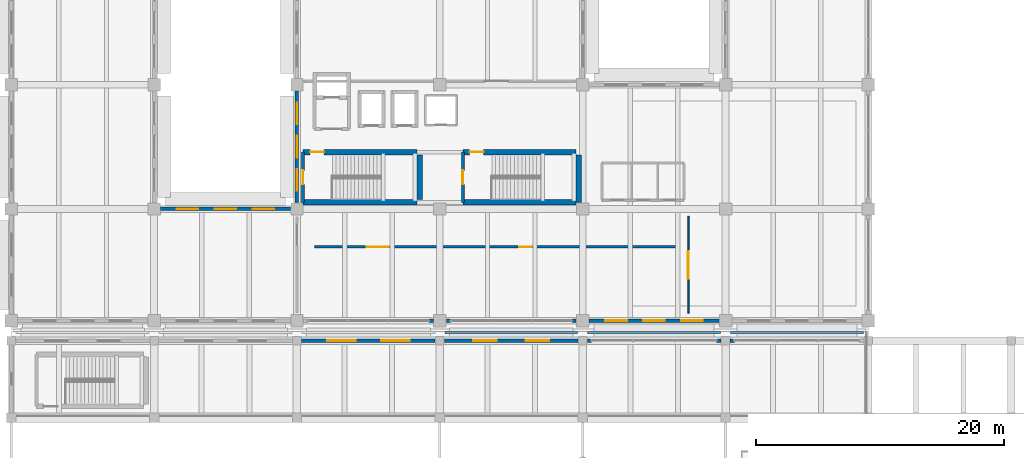
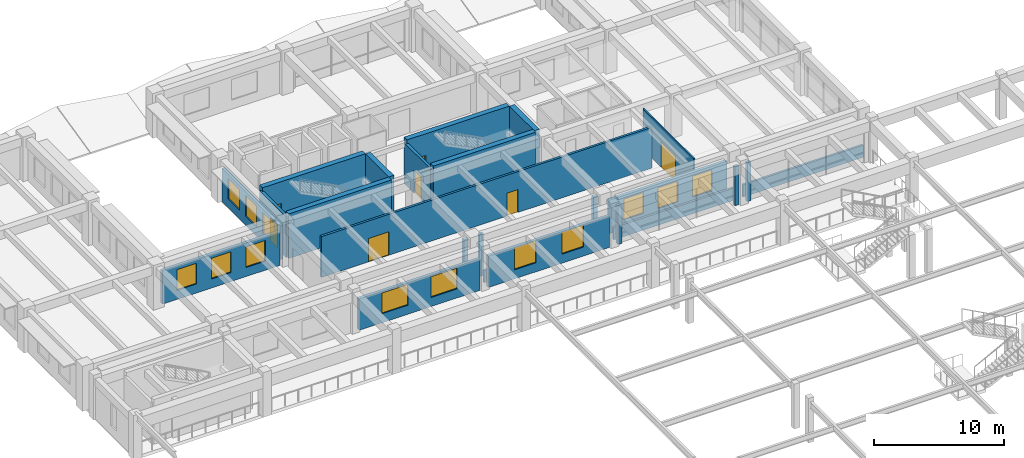
# One storey, part 73 of 98: 24 walls, 13 windows, 7 doors, 20 openings.
"""IFC4 building model written with IfcOpenShell, lengths in metres."""

from ifc_helpers import new_model, si_unit, direction, frame, frame_2d, origin, place, context, subcontext, project, spatial, rectangle, extrude, material, layer, layer_set, type_object, element, fill, save


model = new_model("IFC4")

# Units and contexts
model_context = context("Model", 3, precision=1e-05, world=origin(), true_north=direction((0.0, 1.0)))
body_context = subcontext(model_context, "Body", "Model", "MODEL_VIEW")
ifc_project = project(units=[si_unit("LENGTHUNIT", "METRE"), si_unit("AREAUNIT", "SQUARE_METRE"), si_unit("VOLUMEUNIT", "CUBIC_METRE"), si_unit("PLANEANGLEUNIT", "RADIAN"), si_unit("MASSUNIT", "GRAM", prefix="KILO")], contexts=[model_context])

# Site, building, storey
site_placement = place(None, origin())
site = spatial("IfcSite", under=ifc_project, at=site_placement, CompositionType="ELEMENT")
building_placement = place(site_placement, origin())
building = spatial("IfcBuilding", under=site, at=building_placement, Name="Ologun Quay Terminus", CompositionType="ELEMENT")
storey_placement = place(building_placement, frame((0.0, 0.0, 4.199951171875)))
storey = spatial("IfcBuildingStorey", under=building, at=storey_placement, Name="L01", CompositionType="ELEMENT", Elevation=4.199951171875)

# Wall, opening, door
ifc_material_1 = material(Name="Glass", Category="glass")
ifc_layer_1 = layer(ifc_material_1, 0.1201171875)
ifc_layer_set_1 = layer_set([ifc_layer_1], Name="Glass")
wall_type_1 = type_object("IfcWallType", Name="Acoustic Glazed Concourse Screen Wall 120", PredefinedType="MOVABLE", material=ifc_layer_set_1)
wall_1_placement = place(storey_placement, frame((54.5, 86.39990234375, 0.0), z_axis=(0.0, 0.0, 1.0), x_axis=(0.0, 1.0, 0.0)))
wall_1 = element("IfcWall", 1, at=wall_1_placement, inside=storey, type_object=wall_type_1, Name="PW-10 Partition L01-DiningHall-W", PredefinedType="MOVABLE", context=body_context, shape_type="SweptSolid", body=[
    extrude(rectangle(XDim=7.800048828125, YDim=0.1201171875, at=frame_2d((3.89990234375, 0.0))), origin(), (0.0, 0.0, 1.0), 3.840087890625),
])
opening_1_placement = place(wall_1_placement, frame((2.800048828125, 0.0, 0.0)))
opening_1 = element("IfcOpeningElement", 2, at=opening_1_placement, cuts=wall_1, Name="Opening ID-306", PredefinedType="OPENING", context=body_context, shape_type="SweptSolid", body=[
    extrude(rectangle(XDim=2.199951171875, YDim=2.39990234375, at=frame_2d((1.10009765625, 1.199951171875))), frame((0.0, 0.070068359375, 0.0), z_axis=(0.0, -1.0, 0.0), x_axis=(1.0, 0.0, 0.0)), (0.0, 0.0, 1.0), 0.14013671875),
])
ifc_material_2 = material(Name="Glass", Category="glass")
door_type_1 = type_object("IfcDoorType", Name="Harbour Dining Hall Pair 2200x2400", OperationType="DOUBLE_DOOR_SINGLE_SWING", PredefinedType="DOOR", material=ifc_material_2)
door_1_placement = place(opening_1_placement, origin())
door_1 = element("IfcDoor", 3, at=door_1_placement, inside=storey, type_object=door_type_1, Name="ID-10 Door ID-306", OperationType="DOUBLE_DOOR_SINGLE_SWING", OverallHeight=2.39990234375, OverallWidth=2.199951171875, PredefinedType="DOOR", context=body_context, shape_type="SweptSolid", body=[
    extrude(rectangle(XDim=2.199951171875, YDim=2.39990234375, at=frame_2d((1.10009765625, 1.199951171875))), frame((0.0, 0.02490234375, 0.0), z_axis=(0.0, -1.0, 0.0), x_axis=(1.0, 0.0, 0.0)), (0.0, 0.0, 1.0), 0.050048828125),
])
fill(opening_1, door_1)

# Wall, openings, doors
ifc_material_3 = material(Name="Concrete C40/50", Category="concrete")
ifc_layer_2 = layer(ifc_material_3, 0.199951171875)
ifc_layer_set_2 = layer_set([ifc_layer_2], Name="Concrete C40/50")
wall_type_2 = type_object("IfcWallType", Name="Corridor Fire-Rated Partition 200", PredefinedType="PARTITIONING", material=ifc_layer_set_2)
wall_2_placement = place(storey_placement, frame((24.39990234375, 91.75, 0.0), z_axis=(0.0, 0.0, 1.0), x_axis=(1.0, 0.0, 0.0)))
wall_2 = element("IfcWall", 4, at=wall_2_placement, inside=storey, type_object=wall_type_2, Name="PW-02 Partition WCor-S", PredefinedType="PARTITIONING", context=body_context, shape_type="SweptSolid", body=[
    extrude(rectangle(XDim=29.400146484375, YDim=0.199951171875, at=frame_2d((14.7001953125, 0.0))), origin(), (0.0, 0.0, 1.0), 3.840087890625),
])
opening_2_placement = place(wall_2_placement, frame((4.199951171875, 0.0, 0.0)))
opening_2 = element("IfcOpeningElement", 5, at=opening_2_placement, cuts=wall_2, Name="Opening ID-108", PredefinedType="OPENING", context=body_context, shape_type="SweptSolid", body=[
    extrude(rectangle(XDim=1.800048828125, YDim=2.199951171875, at=frame_2d((0.89990234375, 1.10009765625))), frame((0.0, 0.10986328125, 0.0), z_axis=(0.0, -1.0, 0.0), x_axis=(1.0, 0.0, 0.0)), (0.0, 0.0, 1.0), 0.219970703125),
])
opening_3_placement = place(wall_2_placement, frame((16.5, 0.0, 0.0)))
opening_3 = element("IfcOpeningElement", 6, at=opening_3_placement, cuts=wall_2, Name="Opening ID-109", PredefinedType="OPENING", context=body_context, shape_type="SweptSolid", body=[
    extrude(rectangle(XDim=0.97998046875, YDim=2.14990234375, at=frame_2d((0.489990234375, 1.074951171875))), frame((0.0, 0.10986328125, 0.0), z_axis=(0.0, -1.0, 0.0), x_axis=(1.0, 0.0, 0.0)), (0.0, 0.0, 1.0), 0.219970703125),
])
ifc_material_4 = material(Name="Steel S355", Category="steel")
door_type_2 = type_object("IfcDoorType", Name="Corridor Compartment Pair 1800x2200", OperationType="DOUBLE_DOOR_SINGLE_SWING", PredefinedType="DOOR", material=ifc_material_4)
door_2_placement = place(opening_2_placement, origin())
door_2 = element("IfcDoor", 7, at=door_2_placement, inside=storey, type_object=door_type_2, Name="FD-03 Door ID-108", OperationType="DOUBLE_DOOR_SINGLE_SWING", OverallHeight=2.199951171875, OverallWidth=1.800048828125, PredefinedType="DOOR", context=body_context, shape_type="SweptSolid", body=[
    extrude(rectangle(XDim=1.800048828125, YDim=2.199951171875, at=frame_2d((0.89990234375, 1.10009765625))), frame((0.0, 0.02490234375, 0.0), z_axis=(0.0, -1.0, 0.0), x_axis=(1.0, 0.0, 0.0)), (0.0, 0.0, 1.0), 0.050048828125),
])
fill(opening_2, door_2)
ifc_material_5 = material(Name="Timber Hardwood", Category="wood")
door_type_3 = type_object("IfcDoorType", Name="Operations Room Acoustic Leaf 980x2150", OperationType="SINGLE_SWING_LEFT", PredefinedType="DOOR", material=ifc_material_5)
door_3_placement = place(opening_3_placement, origin())
door_3 = element("IfcDoor", 8, at=door_3_placement, inside=storey, type_object=door_type_3, Name="ID-01 Door ID-109", OperationType="SINGLE_SWING_LEFT", OverallHeight=2.14990234375, OverallWidth=0.97998046875, PredefinedType="DOOR", context=body_context, shape_type="SweptSolid", body=[
    extrude(rectangle(XDim=0.97998046875, YDim=2.14990234375, at=frame_2d((0.489990234375, 1.074951171875))), frame((0.0, 0.02490234375, 0.0), z_axis=(0.0, -1.0, 0.0), x_axis=(1.0, 0.0, 0.0)), (0.0, 0.0, 1.0), 0.050048828125),
])
fill(opening_3, door_3)

# Wall
ifc_material_6 = material(Name="Concrete C45/55", Category="concrete")
ifc_layer_3 = layer(ifc_material_6, 0.449951171875)
ifc_layer_set_3 = layer_set([ifc_layer_3], Name="Concrete C45/55")
wall_type_3 = type_object("IfcWallType", Name="Coupled Wing Primary Core Shear Wall 450", PredefinedType="SHEAR", material=ifc_layer_set_3)
wall_3_placement = place(storey_placement, frame((23.5, 95.324951171875, 0.0), z_axis=(0.0, 0.0, 1.0), x_axis=(1.0, 0.0, 0.0)))
element("IfcWall", 9, at=wall_3_placement, inside=storey, type_object=wall_type_3, Name="WC1 Core South Shear Wall L01", PredefinedType="SHEAR", context=body_context, shape_type="SweptSolid", body=[
    extrude(rectangle(XDim=9.14990234375, YDim=0.449951171875, at=frame_2d((4.574951171875, 0.0))), origin(), (0.0, 0.0, 1.0), 4.199951171875),
])

# Wall, opening, door
wall_4_placement = place(storey_placement, frame((23.5, 99.375, 0.0), z_axis=(0.0, 0.0, 1.0), x_axis=(1.0, 0.0, 0.0)))
wall_4 = element("IfcWall", 10, at=wall_4_placement, inside=storey, type_object=wall_type_3, Name="WC1 Core North Shear Wall L01", PredefinedType="SHEAR", context=body_context, shape_type="SweptSolid", body=[
    extrude(rectangle(XDim=9.14990234375, YDim=0.449951171875, at=frame_2d((4.574951171875, 0.0))), origin(), (0.0, 0.0, 1.0), 4.199951171875),
])
opening_4_placement = place(wall_4_placement, frame((0.550048828125, 0.0, 0.0)))
opening_4 = element("IfcOpeningElement", 11, at=opening_4_placement, cuts=wall_4, Name="Opening ID-100", PredefinedType="OPENING", context=body_context, shape_type="SweptSolid", body=[
    extrude(rectangle(XDim=1.1298828125, YDim=2.14990234375, at=frame_2d((0.56494140625, 1.074951171875))), frame((0.0, 0.23486328125, 0.0), z_axis=(0.0, -1.0, 0.0), x_axis=(1.0, 0.0, 0.0)), (0.0, 0.0, 1.0), 0.469970703125),
])
ifc_material_7 = material(Name="Steel S355", Category="steel")
door_type_4 = type_object("IfcDoorType", Name="Stairwell Fire Escape Door 1130x2150", OperationType="SINGLE_SWING_LEFT", PredefinedType="DOOR", material=ifc_material_7)
door_4_placement = place(opening_4_placement, frame((0.56494140625, 0.0, 0.0), z_axis=(0.0, 0.0, 1.0), x_axis=(-1.0, 0.0, 0.0)))
door_4 = element("IfcDoor", 12, at=door_4_placement, inside=storey, type_object=door_type_4, Name="FD-01 Door ID-100", OperationType="SINGLE_SWING_LEFT", OverallHeight=2.14990234375, OverallWidth=1.1298828125, PredefinedType="DOOR", context=body_context, shape_type="SweptSolid", body=[
    extrude(rectangle(XDim=1.1298828125, YDim=2.14990234375, at=frame_2d((0.0, 1.074951171875))), frame((0.0, 0.02490234375, 0.0), z_axis=(0.0, -1.0, 0.0), x_axis=(1.0, 0.0, 0.0)), (0.0, 0.0, 1.0), 0.050048828125),
])
fill(opening_4, door_4)

# Walls
wall_5_placement = place(storey_placement, frame((32.875, 95.550048828125, 0.0), z_axis=(0.0, 0.0, 1.0), x_axis=(0.0, 1.0, 0.0)))
element("IfcWall", 13, at=wall_5_placement, inside=storey, type_object=wall_type_3, Name="WC1 Core East Shear Wall L01", PredefinedType="SHEAR", context=body_context, shape_type="SweptSolid", body=[
    extrude(rectangle(XDim=3.599853515625, YDim=0.449951171875, at=frame_2d((1.7998046875, 0.0))), origin(), (0.0, 0.0, 1.0), 4.199951171875),
])
wall_6_placement = place(storey_placement, frame((36.35009765625, 95.324951171875, 0.0), z_axis=(0.0, 0.0, 1.0), x_axis=(1.0, 0.0, 0.0)))
element("IfcWall", 14, at=wall_6_placement, inside=storey, type_object=wall_type_3, Name="WC2 Core South Shear Wall L01", PredefinedType="SHEAR", context=body_context, shape_type="SweptSolid", body=[
    extrude(rectangle(XDim=9.099853515625, YDim=0.449951171875, at=frame_2d((4.5498046875, 0.0))), origin(), (0.0, 0.0, 1.0), 4.199951171875),
])

# Wall, opening, door
wall_7_placement = place(storey_placement, frame((36.35009765625, 99.375, 0.0), z_axis=(0.0, 0.0, 1.0), x_axis=(1.0, 0.0, 0.0)))
wall_7 = element("IfcWall", 15, at=wall_7_placement, inside=storey, type_object=wall_type_3, Name="WC2 Core North Shear Wall L01", PredefinedType="SHEAR", context=body_context, shape_type="SweptSolid", body=[
    extrude(rectangle(XDim=9.099853515625, YDim=0.449951171875, at=frame_2d((4.5498046875, 0.0))), origin(), (0.0, 0.0, 1.0), 4.199951171875),
])
opening_5_placement = place(wall_7_placement, frame((0.550048828125, 0.0, 0.0)))
opening_5 = element("IfcOpeningElement", 16, at=opening_5_placement, cuts=wall_7, Name="Opening ID-102", PredefinedType="OPENING", context=body_context, shape_type="SweptSolid", body=[
    extrude(rectangle(XDim=1.1298828125, YDim=2.14990234375, at=frame_2d((0.56494140625, 1.074951171875))), frame((0.0, 0.23486328125, 0.0), z_axis=(0.0, -1.0, 0.0), x_axis=(1.0, 0.0, 0.0)), (0.0, 0.0, 1.0), 0.469970703125),
])
door_5_placement = place(opening_5_placement, frame((0.56494140625, 0.0, 0.0), z_axis=(0.0, 0.0, 1.0), x_axis=(-1.0, 0.0, 0.0)))
door_5 = element("IfcDoor", 17, at=door_5_placement, inside=storey, type_object=door_type_4, Name="FD-01 Door ID-102", OperationType="SINGLE_SWING_LEFT", OverallHeight=2.14990234375, OverallWidth=1.1298828125, PredefinedType="DOOR", context=body_context, shape_type="SweptSolid", body=[
    extrude(rectangle(XDim=1.1298828125, YDim=2.14990234375, at=frame_2d((0.0, 1.074951171875))), frame((0.0, 0.02490234375, 0.0), z_axis=(0.0, -1.0, 0.0), x_axis=(1.0, 0.0, 0.0)), (0.0, 0.0, 1.0), 0.050048828125),
])
fill(opening_5, door_5)

# Walls
wall_8_placement = place(storey_placement, frame((45.675048828125, 95.320068359375, 0.0), z_axis=(0.0, 0.0, 1.0), x_axis=(0.0, 1.0, 0.0)))
element("IfcWall", 18, at=wall_8_placement, inside=storey, type_object=wall_type_3, Name="WC2 Core East Shear Wall L01", PredefinedType="SHEAR", context=body_context, shape_type="SweptSolid", body=[
    extrude(rectangle(XDim=3.829833984375, YDim=0.449951171875, at=frame_2d((1.9150390625, 0.0))), origin(), (0.0, 0.0, 1.0), 4.199951171875),
])
ifc_material_8 = material(Name="Concrete C40/50", Category="concrete")
ifc_layer_4 = layer(ifc_material_8, 0.280029296875)
ifc_layer_set_4 = layer_set([ifc_layer_4], Name="Concrete C40/50")
wall_type_4 = type_object("IfcWallType", Name="Courtyard Wing Spandrel Concrete Wall 280", PredefinedType="SOLIDWALL", material=ifc_layer_set_4)
for number, where, z_axis, x_axis, name in (
    (19, (46.3701171875, 84.199951171875, 0.0), (0.0, 0.0, 1.0), (1.0, 0.0, 0.0), "Curtain Wall Jamb Pier CW-L01-088-J1"),
    (20, (56.780029296875, 84.199951171875, 0.0), (0.0, 0.0, 1.0), (1.0, 0.0, 0.0), "Curtain Wall Jamb Pier CW-L01-088-J2"),
    (21, (57.8701171875, 84.199951171875, 0.0), (0.0, 0.0, 1.0), (1.0, 0.0, 0.0), "Curtain Wall Jamb Pier CW-L01-089-J1"),
):
    element("IfcWall", number, at=place(storey_placement, frame(where, z_axis=z_axis, x_axis=x_axis)), inside=storey, type_object=wall_type_4, Name=name, PredefinedType="SOLIDWALL", context=body_context, shape_type="SweptSolid", body=[
        extrude(rectangle(XDim=0.349853515625, YDim=0.280029296875, at=frame_2d((0.1748046875, 0.0))), origin(), (0.0, 0.0, 1.0), 3.650146484375),
    ])

# Wall, openings, windows
wall_9_placement = place(storey_placement, frame((34.8701171875, 84.199951171875, 0.0), z_axis=(0.0, 0.0, 1.0), x_axis=(1.0, 0.0, 0.0)))
wall_9 = element("IfcWall", 22, at=wall_9_placement, inside=storey, type_object=wall_type_4, Name="EW-02 Facade Wall WEW-NGW-L01-04", PredefinedType="SOLIDWALL", context=body_context, shape_type="SweptSolid", body=[
    extrude(rectangle(XDim=10.759765625, YDim=0.280029296875, at=frame_2d((5.3798828125, 0.0))), origin(), (0.0, 0.0, 1.0), 2.949951171875),
])
opening_6_placement = place(wall_9_placement, frame((2.306640625, 0.0, 0.85009765625)))
opening_6 = element("IfcOpeningElement", 23, at=opening_6_placement, cuts=wall_9, Name="Opening WN-124", PredefinedType="OPENING", context=body_context, shape_type="SweptSolid", body=[
    extrude(rectangle(XDim=1.919921875, YDim=2.080078125, at=frame_2d((0.9599609375, 1.0400390625))), frame((0.0, 0.14990234375, 0.0), z_axis=(0.0, -1.0, 0.0), x_axis=(1.0, 0.0, 0.0)), (0.0, 0.0, 1.0), 0.300048828125),
])
opening_7_placement = place(wall_9_placement, frame((6.533203125, 0.0, 0.85009765625)))
opening_7 = element("IfcOpeningElement", 24, at=opening_7_placement, cuts=wall_9, Name="Opening WN-125", PredefinedType="OPENING", context=body_context, shape_type="SweptSolid", body=[
    extrude(rectangle(XDim=1.919921875, YDim=2.080078125, at=frame_2d((0.9599609375, 1.0400390625))), frame((0.0, 0.14990234375, 0.0), z_axis=(0.0, -1.0, 0.0), x_axis=(1.0, 0.0, 0.0)), (0.0, 0.0, 1.0), 0.300048828125),
])
ifc_material_9 = material(Name="Glass", Category="glass")
window_type_1 = type_object("IfcWindowType", Name="Courtyard Gallery Twin Window 1920x2080", PartitioningType="SINGLE_PANEL", PredefinedType="WINDOW", material=ifc_material_9)
window_1_placement = place(opening_6_placement, origin())
window_1 = element("IfcWindow", 25, at=window_1_placement, inside=storey, type_object=window_type_1, Name="W-40 Window WN-124", OverallHeight=2.080078125, OverallWidth=1.919921875, PartitioningType="SINGLE_PANEL", PredefinedType="WINDOW", context=body_context, shape_type="SweptSolid", body=[
    extrude(rectangle(XDim=1.919921875, YDim=2.080078125, at=frame_2d((0.9599609375, 1.0400390625))), frame((0.0, 0.030029296875, 0.0), z_axis=(0.0, -1.0, 0.0), x_axis=(1.0, 0.0, 0.0)), (0.0, 0.0, 1.0), 0.06005859375),
])
fill(opening_6, window_1)
window_2_placement = place(opening_7_placement, origin())
window_2 = element("IfcWindow", 26, at=window_2_placement, inside=storey, type_object=window_type_1, Name="W-40 Window WN-125", OverallHeight=2.080078125, OverallWidth=1.919921875, PartitioningType="SINGLE_PANEL", PredefinedType="WINDOW", context=body_context, shape_type="SweptSolid", body=[
    extrude(rectangle(XDim=1.919921875, YDim=2.080078125, at=frame_2d((0.9599609375, 1.0400390625))), frame((0.0, 0.030029296875, 0.0), z_axis=(0.0, -1.0, 0.0), x_axis=(1.0, 0.0, 0.0)), (0.0, 0.0, 1.0), 0.06005859375),
])
fill(opening_7, window_2)

wall_10_placement = place(storey_placement, frame((23.3701171875, 84.199951171875, 0.0), z_axis=(0.0, 0.0, 1.0), x_axis=(1.0, 0.0, 0.0)))
wall_10 = element("IfcWall", 27, at=wall_10_placement, inside=storey, type_object=wall_type_4, Name="EW-02 Facade Wall WEW-NGW-L01-03", PredefinedType="SOLIDWALL", context=body_context, shape_type="SweptSolid", body=[
    extrude(rectangle(XDim=10.759765625, YDim=0.280029296875, at=frame_2d((5.3798828125, 0.0))), origin(), (0.0, 0.0, 1.0), 2.949951171875),
])
opening_8_placement = place(wall_10_placement, frame((2.05322265625, 0.0, 0.85009765625)))
opening_8 = element("IfcOpeningElement", 28, at=opening_8_placement, cuts=wall_10, Name="Opening WN-138", PredefinedType="OPENING", context=body_context, shape_type="SweptSolid", body=[
    extrude(rectangle(XDim=2.300048828125, YDim=1.949951171875, at=frame_2d((1.14990234375, 0.97509765625))), frame((0.0, 0.14990234375, 0.0), z_axis=(0.0, -1.0, 0.0), x_axis=(1.0, 0.0, 0.0)), (0.0, 0.0, 1.0), 0.300048828125),
])
opening_9_placement = place(wall_10_placement, frame((6.40673828125, 0.0, 0.85009765625)))
opening_9 = element("IfcOpeningElement", 29, at=opening_9_placement, cuts=wall_10, Name="Opening WN-139", PredefinedType="OPENING", context=body_context, shape_type="SweptSolid", body=[
    extrude(rectangle(XDim=2.300048828125, YDim=1.949951171875, at=frame_2d((1.14990234375, 0.97509765625))), frame((0.0, 0.14990234375, 0.0), z_axis=(0.0, -1.0, 0.0), x_axis=(1.0, 0.0, 0.0)), (0.0, 0.0, 1.0), 0.300048828125),
])
ifc_material_10 = material(Name="Glass", Category="glass")
window_type_2 = type_object("IfcWindowType", Name="Waterfront Dining Ribbon Window 2300x1950", PartitioningType="SINGLE_PANEL", PredefinedType="WINDOW", material=ifc_material_10)
window_3_placement = place(opening_8_placement, origin())
window_3 = element("IfcWindow", 30, at=window_3_placement, inside=storey, type_object=window_type_2, Name="W-13 Window WN-138", OverallHeight=1.949951171875, OverallWidth=2.300048828125, PartitioningType="SINGLE_PANEL", PredefinedType="WINDOW", context=body_context, shape_type="SweptSolid", body=[
    extrude(rectangle(XDim=2.300048828125, YDim=1.949951171875, at=frame_2d((1.14990234375, 0.97509765625))), frame((0.0, 0.030029296875, 0.0), z_axis=(0.0, -1.0, 0.0), x_axis=(1.0, 0.0, 0.0)), (0.0, 0.0, 1.0), 0.06005859375),
])
fill(opening_8, window_3)
window_4_placement = place(opening_9_placement, origin())
window_4 = element("IfcWindow", 31, at=window_4_placement, inside=storey, type_object=window_type_2, Name="W-13 Window WN-139", OverallHeight=1.949951171875, OverallWidth=2.300048828125, PartitioningType="SINGLE_PANEL", PredefinedType="WINDOW", context=body_context, shape_type="SweptSolid", body=[
    extrude(rectangle(XDim=2.300048828125, YDim=1.949951171875, at=frame_2d((1.14990234375, 0.97509765625))), frame((0.0, 0.030029296875, 0.0), z_axis=(0.0, -1.0, 0.0), x_axis=(1.0, 0.0, 0.0)), (0.0, 0.0, 1.0), 0.06005859375),
])
fill(opening_9, window_4)

# Walls
for number, where, z_axis, x_axis, name in (
    (32, (33.6298828125, 85.800048828125, 0.0), (0.0, 0.0, 1.0), (1.0, 0.0, 0.0), "Curtain Wall Jamb Pier CW-L01-097-J2"),
    (33, (35.02001953125, 85.800048828125, 0.0), (0.0, 0.0, 1.0), (1.0, 0.0, 0.0), "Curtain Wall Jamb Pier CW-L01-098-J1"),
    (34, (45.1298828125, 85.800048828125, 0.0), (0.0, 0.0, 1.0), (1.0, 0.0, 0.0), "Curtain Wall Jamb Pier CW-L01-098-J2"),
):
    element("IfcWall", number, at=place(storey_placement, frame(where, z_axis=z_axis, x_axis=x_axis)), inside=storey, type_object=wall_type_4, Name=name, PredefinedType="SOLIDWALL", context=body_context, shape_type="SweptSolid", body=[
        extrude(rectangle(XDim=0.35009765625, YDim=0.280029296875, at=frame_2d((0.175048828125, 0.0))), origin(), (0.0, 0.0, 1.0), 3.929931640625),
    ])

# Wall, openings, windows
wall_11_placement = place(storey_placement, frame((46.52001953125, 85.800048828125, 0.0), z_axis=(0.0, 0.0, 1.0), x_axis=(1.0, 0.0, 0.0)))
wall_11 = element("IfcWall", 35, at=wall_11_placement, inside=storey, type_object=wall_type_4, Name="EW-02 Facade Wall WEW-WW-O-L01-5", PredefinedType="SOLIDWALL", context=body_context, shape_type="SweptSolid", body=[
    extrude(rectangle(XDim=10.4599609375, YDim=0.280029296875, at=frame_2d((5.22998046875, 0.0))), origin(), (0.0, 0.0, 1.0), 3.150146484375),
])
opening_10_placement = place(wall_11_placement, frame((1.302490234375, 0.0, 0.85009765625)))
opening_10 = element("IfcOpeningElement", 36, at=opening_10_placement, cuts=wall_11, Name="Opening WN-197", PredefinedType="OPENING", context=body_context, shape_type="SweptSolid", body=[
    extrude(rectangle(XDim=1.75, YDim=1.949951171875, at=frame_2d((0.875, 0.97509765625))), frame((0.0, 0.14990234375, 0.0), z_axis=(0.0, -1.0, 0.0), x_axis=(1.0, 0.0, 0.0)), (0.0, 0.0, 1.0), 0.300048828125),
])
opening_11_placement = place(wall_11_placement, frame((4.35498046875, 0.0, 0.85009765625)))
opening_11 = element("IfcOpeningElement", 37, at=opening_11_placement, cuts=wall_11, Name="Opening WN-198", PredefinedType="OPENING", context=body_context, shape_type="SweptSolid", body=[
    extrude(rectangle(XDim=1.75, YDim=1.949951171875, at=frame_2d((0.875, 0.97509765625))), frame((0.0, 0.14990234375, 0.0), z_axis=(0.0, -1.0, 0.0), x_axis=(1.0, 0.0, 0.0)), (0.0, 0.0, 1.0), 0.300048828125),
])
opening_12_placement = place(wall_11_placement, frame((7.407470703125, 0.0, 0.85009765625)))
opening_12 = element("IfcOpeningElement", 38, at=opening_12_placement, cuts=wall_11, Name="Opening WN-199", PredefinedType="OPENING", context=body_context, shape_type="SweptSolid", body=[
    extrude(rectangle(XDim=1.75, YDim=1.949951171875, at=frame_2d((0.875, 0.97509765625))), frame((0.0, 0.14990234375, 0.0), z_axis=(0.0, -1.0, 0.0), x_axis=(1.0, 0.0, 0.0)), (0.0, 0.0, 1.0), 0.300048828125),
])
ifc_material_11 = material(Name="Glass", Category="glass")
window_type_3 = type_object("IfcWindowType", Name="Waterfront Pavilion Paired Window 1750x1950", PartitioningType="SINGLE_PANEL", PredefinedType="WINDOW", material=ifc_material_11)
window_5_placement = place(opening_10_placement, origin())
window_5 = element("IfcWindow", 39, at=window_5_placement, inside=storey, type_object=window_type_3, Name="W-12 Window WN-197", OverallHeight=1.949951171875, OverallWidth=1.75, PartitioningType="SINGLE_PANEL", PredefinedType="WINDOW", context=body_context, shape_type="SweptSolid", body=[
    extrude(rectangle(XDim=1.75, YDim=1.949951171875, at=frame_2d((0.875, 0.97509765625))), frame((0.0, 0.030029296875, 0.0), z_axis=(0.0, -1.0, 0.0), x_axis=(1.0, 0.0, 0.0)), (0.0, 0.0, 1.0), 0.06005859375),
])
fill(opening_10, window_5)
window_6_placement = place(opening_11_placement, origin())
window_6 = element("IfcWindow", 40, at=window_6_placement, inside=storey, type_object=window_type_3, Name="W-12 Window WN-198", OverallHeight=1.949951171875, OverallWidth=1.75, PartitioningType="SINGLE_PANEL", PredefinedType="WINDOW", context=body_context, shape_type="SweptSolid", body=[
    extrude(rectangle(XDim=1.75, YDim=1.949951171875, at=frame_2d((0.875, 0.97509765625))), frame((0.0, 0.030029296875, 0.0), z_axis=(0.0, -1.0, 0.0), x_axis=(1.0, 0.0, 0.0)), (0.0, 0.0, 1.0), 0.06005859375),
])
fill(opening_11, window_6)
window_7_placement = place(opening_12_placement, origin())
window_7 = element("IfcWindow", 41, at=window_7_placement, inside=storey, type_object=window_type_3, Name="W-12 Window WN-199", OverallHeight=1.949951171875, OverallWidth=1.75, PartitioningType="SINGLE_PANEL", PredefinedType="WINDOW", context=body_context, shape_type="SweptSolid", body=[
    extrude(rectangle(XDim=1.75, YDim=1.949951171875, at=frame_2d((0.875, 0.97509765625))), frame((0.0, 0.030029296875, 0.0), z_axis=(0.0, -1.0, 0.0), x_axis=(1.0, 0.0, 0.0)), (0.0, 0.0, 1.0), 0.06005859375),
])
fill(opening_12, window_7)

wall_12_placement = place(storey_placement, frame((23.0, 95.320068359375, 0.0), z_axis=(0.0, 0.0, 1.0), x_axis=(0.0, 1.0, 0.0)))
wall_12 = element("IfcWall", 42, at=wall_12_placement, inside=storey, type_object=wall_type_4, Name="EW-02 Facade Wall WEW-WW-O-L01-16", PredefinedType="SOLIDWALL", context=body_context, shape_type="SweptSolid", body=[
    extrude(rectangle(XDim=8.9599609375, YDim=0.280029296875, at=frame_2d((4.47998046875, 0.0))), origin(), (0.0, 0.0, 1.0), 3.150146484375),
])
opening_13_placement = place(wall_12_placement, frame((0.927490234375, 0.0, 0.85009765625)))
opening_13 = element("IfcOpeningElement", 43, at=opening_13_placement, cuts=wall_12, Name="Opening WN-216", PredefinedType="OPENING", context=body_context, shape_type="SweptSolid", body=[
    extrude(rectangle(XDim=1.75, YDim=1.949951171875, at=frame_2d((0.875, 0.97509765625))), frame((0.0, 0.14990234375, 0.0), z_axis=(0.0, -1.0, 0.0), x_axis=(1.0, 0.0, 0.0)), (0.0, 0.0, 1.0), 0.300048828125),
])
opening_14_placement = place(wall_12_placement, frame((3.60498046875, 0.0, 0.85009765625)))
opening_14 = element("IfcOpeningElement", 44, at=opening_14_placement, cuts=wall_12, Name="Opening WN-217", PredefinedType="OPENING", context=body_context, shape_type="SweptSolid", body=[
    extrude(rectangle(XDim=1.75, YDim=1.949951171875, at=frame_2d((0.875, 0.97509765625))), frame((0.0, 0.14990234375, 0.0), z_axis=(0.0, -1.0, 0.0), x_axis=(1.0, 0.0, 0.0)), (0.0, 0.0, 1.0), 0.300048828125),
])
opening_15_placement = place(wall_12_placement, frame((6.282470703125, 0.0, 0.85009765625)))
opening_15 = element("IfcOpeningElement", 45, at=opening_15_placement, cuts=wall_12, Name="Opening WN-218", PredefinedType="OPENING", context=body_context, shape_type="SweptSolid", body=[
    extrude(rectangle(XDim=1.75, YDim=1.949951171875, at=frame_2d((0.875, 0.97509765625))), frame((0.0, 0.14990234375, 0.0), z_axis=(0.0, -1.0, 0.0), x_axis=(1.0, 0.0, 0.0)), (0.0, 0.0, 1.0), 0.300048828125),
])
window_8_placement = place(opening_13_placement, origin())
window_8 = element("IfcWindow", 46, at=window_8_placement, inside=storey, type_object=window_type_3, Name="W-12 Window WN-216", OverallHeight=1.949951171875, OverallWidth=1.75, PartitioningType="SINGLE_PANEL", PredefinedType="WINDOW", context=body_context, shape_type="SweptSolid", body=[
    extrude(rectangle(XDim=1.75, YDim=1.949951171875, at=frame_2d((0.875, 0.97509765625))), frame((0.0, 0.030029296875, 0.0), z_axis=(0.0, -1.0, 0.0), x_axis=(1.0, 0.0, 0.0)), (0.0, 0.0, 1.0), 0.06005859375),
])
fill(opening_13, window_8)
window_9_placement = place(opening_14_placement, origin())
window_9 = element("IfcWindow", 47, at=window_9_placement, inside=storey, type_object=window_type_3, Name="W-12 Window WN-217", OverallHeight=1.949951171875, OverallWidth=1.75, PartitioningType="SINGLE_PANEL", PredefinedType="WINDOW", context=body_context, shape_type="SweptSolid", body=[
    extrude(rectangle(XDim=1.75, YDim=1.949951171875, at=frame_2d((0.875, 0.97509765625))), frame((0.0, 0.030029296875, 0.0), z_axis=(0.0, -1.0, 0.0), x_axis=(1.0, 0.0, 0.0)), (0.0, 0.0, 1.0), 0.06005859375),
])
fill(opening_14, window_9)
window_10_placement = place(opening_15_placement, origin())
window_10 = element("IfcWindow", 48, at=window_10_placement, inside=storey, type_object=window_type_3, Name="W-12 Window WN-218", OverallHeight=1.949951171875, OverallWidth=1.75, PartitioningType="SINGLE_PANEL", PredefinedType="WINDOW", context=body_context, shape_type="SweptSolid", body=[
    extrude(rectangle(XDim=1.75, YDim=1.949951171875, at=frame_2d((0.875, 0.97509765625))), frame((0.0, 0.030029296875, 0.0), z_axis=(0.0, -1.0, 0.0), x_axis=(1.0, 0.0, 0.0)), (0.0, 0.0, 1.0), 0.06005859375),
])
fill(opening_15, window_10)

wall_13_placement = place(storey_placement, frame((12.02001953125, 94.800048828125, 0.0), z_axis=(0.0, 0.0, 1.0), x_axis=(1.0, 0.0, 0.0)))
wall_13 = element("IfcWall", 49, at=wall_13_placement, inside=storey, type_object=wall_type_4, Name="EW-02 Facade Wall WEW-WW-O-L01-18", PredefinedType="SOLIDWALL", context=body_context, shape_type="SweptSolid", body=[
    extrude(rectangle(XDim=10.4599609375, YDim=0.280029296875, at=frame_2d((5.22998046875, 0.0))), origin(), (0.0, 0.0, 1.0), 3.150146484375),
])
opening_16_placement = place(wall_13_placement, frame((1.302490234375, 0.0, 0.85009765625)))
opening_16 = element("IfcOpeningElement", 50, at=opening_16_placement, cuts=wall_13, Name="Opening WN-222", PredefinedType="OPENING", context=body_context, shape_type="SweptSolid", body=[
    extrude(rectangle(XDim=1.75, YDim=1.949951171875, at=frame_2d((0.875, 0.97509765625))), frame((0.0, 0.14990234375, 0.0), z_axis=(0.0, -1.0, 0.0), x_axis=(1.0, 0.0, 0.0)), (0.0, 0.0, 1.0), 0.300048828125),
])
opening_17_placement = place(wall_13_placement, frame((4.35498046875, 0.0, 0.85009765625)))
opening_17 = element("IfcOpeningElement", 51, at=opening_17_placement, cuts=wall_13, Name="Opening WN-223", PredefinedType="OPENING", context=body_context, shape_type="SweptSolid", body=[
    extrude(rectangle(XDim=1.75, YDim=1.949951171875, at=frame_2d((0.875, 0.97509765625))), frame((0.0, 0.14990234375, 0.0), z_axis=(0.0, -1.0, 0.0), x_axis=(1.0, 0.0, 0.0)), (0.0, 0.0, 1.0), 0.300048828125),
])
opening_18_placement = place(wall_13_placement, frame((7.407470703125, 0.0, 0.85009765625)))
opening_18 = element("IfcOpeningElement", 52, at=opening_18_placement, cuts=wall_13, Name="Opening WN-224", PredefinedType="OPENING", context=body_context, shape_type="SweptSolid", body=[
    extrude(rectangle(XDim=1.75, YDim=1.949951171875, at=frame_2d((0.875, 0.97509765625))), frame((0.0, 0.14990234375, 0.0), z_axis=(0.0, -1.0, 0.0), x_axis=(1.0, 0.0, 0.0)), (0.0, 0.0, 1.0), 0.300048828125),
])
window_11_placement = place(opening_16_placement, origin())
window_11 = element("IfcWindow", 53, at=window_11_placement, inside=storey, type_object=window_type_3, Name="W-12 Window WN-222", OverallHeight=1.949951171875, OverallWidth=1.75, PartitioningType="SINGLE_PANEL", PredefinedType="WINDOW", context=body_context, shape_type="SweptSolid", body=[
    extrude(rectangle(XDim=1.75, YDim=1.949951171875, at=frame_2d((0.875, 0.97509765625))), frame((0.0, 0.030029296875, 0.0), z_axis=(0.0, -1.0, 0.0), x_axis=(1.0, 0.0, 0.0)), (0.0, 0.0, 1.0), 0.06005859375),
])
fill(opening_16, window_11)
window_12_placement = place(opening_17_placement, origin())
window_12 = element("IfcWindow", 54, at=window_12_placement, inside=storey, type_object=window_type_3, Name="W-12 Window WN-223", OverallHeight=1.949951171875, OverallWidth=1.75, PartitioningType="SINGLE_PANEL", PredefinedType="WINDOW", context=body_context, shape_type="SweptSolid", body=[
    extrude(rectangle(XDim=1.75, YDim=1.949951171875, at=frame_2d((0.875, 0.97509765625))), frame((0.0, 0.030029296875, 0.0), z_axis=(0.0, -1.0, 0.0), x_axis=(1.0, 0.0, 0.0)), (0.0, 0.0, 1.0), 0.06005859375),
])
fill(opening_17, window_12)
window_13_placement = place(opening_18_placement, origin())
window_13 = element("IfcWindow", 55, at=window_13_placement, inside=storey, type_object=window_type_3, Name="W-12 Window WN-224", OverallHeight=1.949951171875, OverallWidth=1.75, PartitioningType="SINGLE_PANEL", PredefinedType="WINDOW", context=body_context, shape_type="SweptSolid", body=[
    extrude(rectangle(XDim=1.75, YDim=1.949951171875, at=frame_2d((0.875, 0.97509765625))), frame((0.0, 0.030029296875, 0.0), z_axis=(0.0, -1.0, 0.0), x_axis=(1.0, 0.0, 0.0)), (0.0, 0.0, 1.0), 0.06005859375),
])
fill(opening_18, window_13)

# Wall, opening, door
ifc_material_12 = material(Name="Concrete C40/50", Category="concrete")
ifc_layer_5 = layer(ifc_material_12, 0.239990234375)
ifc_layer_set_5 = layer_set([ifc_layer_5], Name="Concrete C40/50")
wall_type_5 = type_object("IfcWallType", Name="Fire Compartment Blockwork Wall 240", PredefinedType="SOLIDWALL", material=ifc_layer_set_5)
wall_14_placement = place(storey_placement, frame((23.5, 95.330078125, 0.0), z_axis=(0.0, 0.0, 1.0), x_axis=(0.0, 1.0, 0.0)))
wall_14 = element("IfcWall", 56, at=wall_14_placement, inside=storey, type_object=wall_type_5, Name="PW-01 Partition WStair1-W", PredefinedType="SOLIDWALL", context=body_context, shape_type="SweptSolid", body=[
    extrude(rectangle(XDim=4.0400390625, YDim=0.239990234375, at=frame_2d((2.02001953125, 0.0))), origin(), (0.0, 0.0, 1.0), 3.840087890625),
])
opening_19_placement = place(wall_14_placement, frame((1.449951171875, 0.0, 0.0)))
opening_19 = element("IfcOpeningElement", 57, at=opening_19_placement, cuts=wall_14, Name="Opening ID-099", PredefinedType="OPENING", context=body_context, shape_type="SweptSolid", body=[
    extrude(rectangle(XDim=1.1298828125, YDim=2.14990234375, at=frame_2d((0.56494140625, 1.074951171875))), frame((0.0, 0.1298828125, 0.0), z_axis=(0.0, -1.0, 0.0), x_axis=(1.0, 0.0, 0.0)), (0.0, 0.0, 1.0), 0.260009765625),
])
door_6_placement = place(opening_19_placement, frame((0.56494140625, 0.0, 0.0), z_axis=(0.0, 0.0, 1.0), x_axis=(-1.0, 0.0, 0.0)))
door_6 = element("IfcDoor", 58, at=door_6_placement, inside=storey, type_object=door_type_4, Name="FD-01 Door ID-099", OperationType="SINGLE_SWING_LEFT", OverallHeight=2.14990234375, OverallWidth=1.1298828125, PredefinedType="DOOR", context=body_context, shape_type="SweptSolid", body=[
    extrude(rectangle(XDim=1.1298828125, YDim=2.14990234375, at=frame_2d((0.0, 1.074951171875))), frame((0.0, 0.02490234375, 0.0), z_axis=(0.0, -1.0, 0.0), x_axis=(1.0, 0.0, 0.0)), (0.0, 0.0, 1.0), 0.050048828125),
])
fill(opening_19, door_6)

wall_15_placement = place(storey_placement, frame((36.35009765625, 95.330078125, 0.0), z_axis=(0.0, 0.0, 1.0), x_axis=(0.0, 1.0, 0.0)))
wall_15 = element("IfcWall", 59, at=wall_15_placement, inside=storey, type_object=wall_type_5, Name="PW-01 Partition WStair2-W", PredefinedType="SOLIDWALL", context=body_context, shape_type="SweptSolid", body=[
    extrude(rectangle(XDim=4.0400390625, YDim=0.239990234375, at=frame_2d((2.02001953125, 0.0))), origin(), (0.0, 0.0, 1.0), 3.840087890625),
])
opening_20_placement = place(wall_15_placement, frame((1.449951171875, 0.0, 0.0)))
opening_20 = element("IfcOpeningElement", 60, at=opening_20_placement, cuts=wall_15, Name="Opening ID-101", PredefinedType="OPENING", context=body_context, shape_type="SweptSolid", body=[
    extrude(rectangle(XDim=1.1298828125, YDim=2.14990234375, at=frame_2d((0.56494140625, 1.074951171875))), frame((0.0, 0.1298828125, 0.0), z_axis=(0.0, -1.0, 0.0), x_axis=(1.0, 0.0, 0.0)), (0.0, 0.0, 1.0), 0.260009765625),
])
door_7_placement = place(opening_20_placement, frame((0.56494140625, 0.0, 0.0), z_axis=(0.0, 0.0, 1.0), x_axis=(-1.0, 0.0, 0.0)))
door_7 = element("IfcDoor", 61, at=door_7_placement, inside=storey, type_object=door_type_4, Name="FD-01 Door ID-101", OperationType="SINGLE_SWING_LEFT", OverallHeight=2.14990234375, OverallWidth=1.1298828125, PredefinedType="DOOR", context=body_context, shape_type="SweptSolid", body=[
    extrude(rectangle(XDim=1.1298828125, YDim=2.14990234375, at=frame_2d((0.0, 1.074951171875))), frame((0.0, 0.02490234375, 0.0), z_axis=(0.0, -1.0, 0.0), x_axis=(1.0, 0.0, 0.0)), (0.0, 0.0, 1.0), 0.050048828125),
])
fill(opening_20, door_7)

# Walls
ifc_material_13 = material(Name="Concrete C40/50", Category="concrete")
ifc_layer_6 = layer(ifc_material_13, 0.18994140625)
ifc_layer_set_6 = layer_set([ifc_layer_6], Name="Concrete C40/50")
wall_type_6 = type_object("IfcWallType", Name="Movement Joint Weathering Upstand 190", PredefinedType="PARAPET", material=ifc_layer_set_6)
for number, where, z_axis, x_axis, name in (
    (62, (34.89990234375, 84.860107421875, 0.0), (0.0, 0.0, 1.0), (1.0, 0.0, 0.0), "EW-07 Movement Joint Upstand L01-4"),
    (63, (46.39990234375, 84.860107421875, 0.0), (0.0, 0.0, 1.0), (1.0, 0.0, 0.0), "EW-07 Movement Joint Upstand L01-5"),
    (64, (57.89990234375, 84.860107421875, 0.0), (0.0, 0.0, 1.0), (1.0, 0.0, 0.0), "EW-07 Movement Joint Upstand L01-6"),
):
    element("IfcWall", number, at=place(storey_placement, frame(where, z_axis=z_axis, x_axis=x_axis)), inside=storey, type_object=wall_type_6, Name=name, PredefinedType="PARAPET", context=body_context, shape_type="SweptSolid", body=[
        extrude(rectangle(XDim=10.7001953125, YDim=0.18994140625, at=frame_2d((5.35009765625, 0.0))), origin(), (0.0, 0.0, 1.0), 1.150146484375),
    ])

save(model, "model.ifc")
